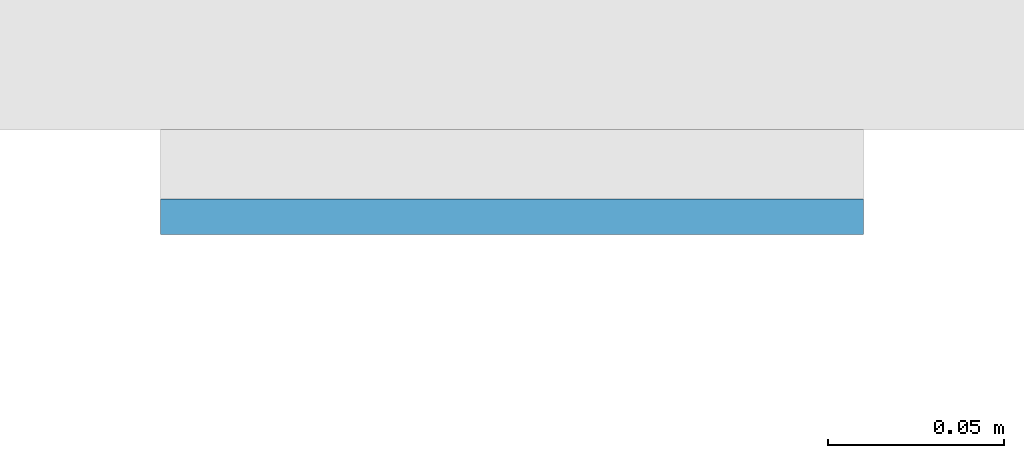
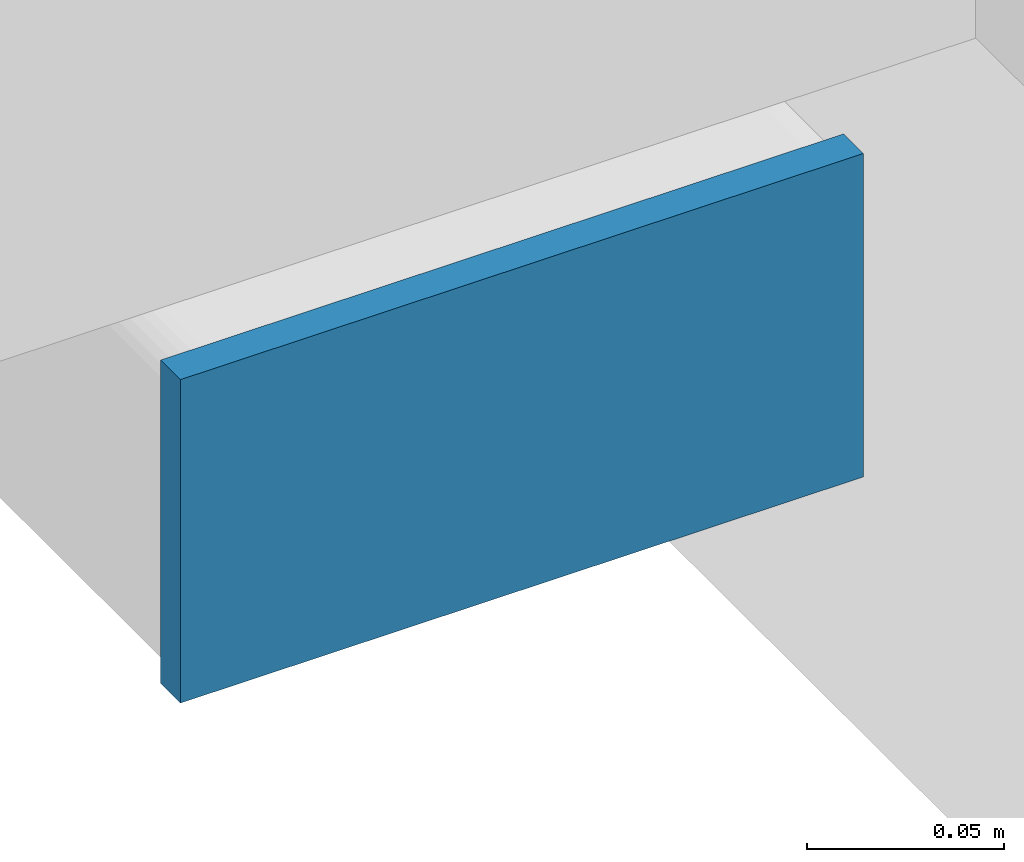
# One storey, part 8 of 20: 1 plate.
"""IFC4 building model written with IfcOpenShell, lengths in metres."""

from ifc_helpers import new_model, si_unit, direction, frame, origin, origin_2d, place, context, subcontext, project, spatial, rectangle, extrude, material, layer, layer_set, type_object, element, save


model = new_model("IFC4")

# Units and contexts
model_context = context("Model", 3, precision=1e-05, world=origin(), true_north=direction((0.0, 1.0)))
body_context = subcontext(model_context, "Body", "Model", "MODEL_VIEW")
ifc_project = project(units=[si_unit("LENGTHUNIT", "METRE"), si_unit("AREAUNIT", "SQUARE_METRE"), si_unit("VOLUMEUNIT", "CUBIC_METRE"), si_unit("PLANEANGLEUNIT", "RADIAN"), si_unit("MASSUNIT", "GRAM", prefix="KILO")], contexts=[model_context])

# Site, building, storey
site_placement = place(None, origin())
site = spatial("IfcSite", under=ifc_project, at=site_placement, CompositionType="ELEMENT")
building_placement = place(site_placement, origin())
building = spatial("IfcBuilding", under=site, at=building_placement, Name="Cleftline Residences", CompositionType="ELEMENT")
storey_placement = place(building_placement, frame((0.0, 0.0, 196.60009765625)))
storey = spatial("IfcBuildingStorey", under=building, at=storey_placement, Name="L51", CompositionType="ELEMENT", Elevation=196.60009765625)

# Plate
ifc_material = material(Name="Steel S355, hot-dip galvanised", Category="steel")
ifc_layer = layer(ifc_material, 0.010009765625)
ifc_layer_set = layer_set([ifc_layer], Name="BAGUETTE CARRIER END PLATE 200X100X10")
plate_type = type_object("IfcPlateType", Name="BAGUETTE CARRIER END PLATE 200X100X10", PredefinedType="USERDEFINED", material=ifc_layer_set)
plate_placement = place(storey_placement, frame((-0.85009765625, 3.695068359375, -0.10009765625), z_axis=(0.0, 0.0, 1.0), x_axis=(-1.0, 0.0, 0.0)))
element("IfcPlate", 1, at=plate_placement, inside=storey, type_object=plate_type, Name="Baguette carrier end plate", ObjectType="BAGUETTE CARRIER END PLATE", PredefinedType="USERDEFINED", context=body_context, shape_type="SweptSolid", body=[
    extrude(rectangle(XDim=0.199951171875, YDim=0.010009765625, at=origin_2d()), origin(), (0.0, 0.0, 1.0), 0.10009765625),
])

save(model, "model.ifc")
